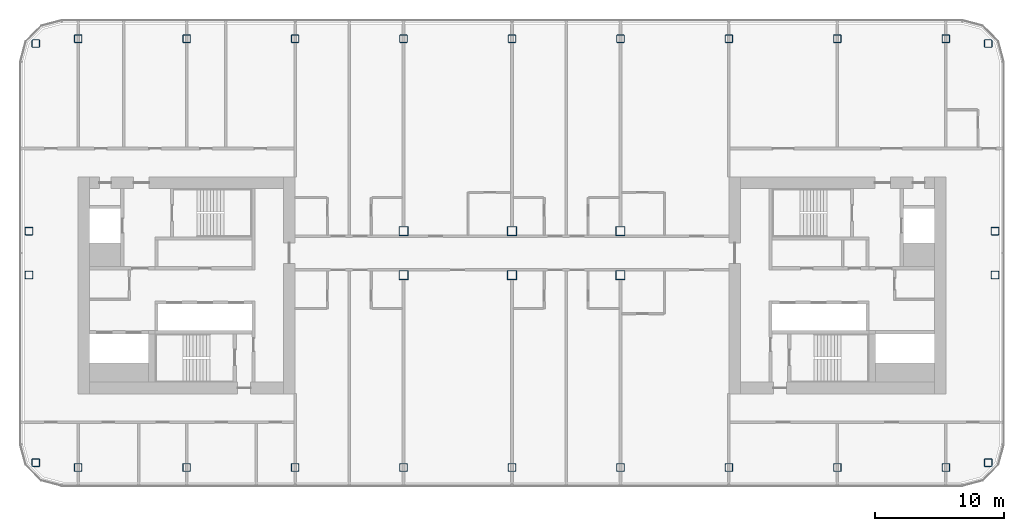
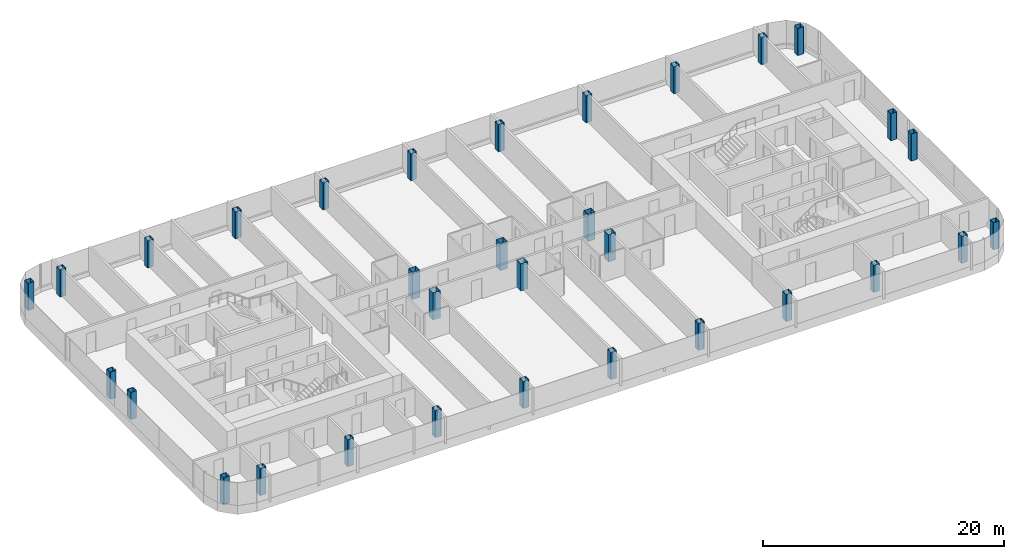
# One storey, part 1 of 26: 32 columns.
"""IFC4 building model written with IfcOpenShell, lengths in metres."""

import ifcopenshell
import ifcopenshell.guid

model = None  # the IFC model being written
_history = None  # IfcOwnerHistory: only IFC2X3 demands one
_inside = {}  # id of a spatial element -> (the spatial element, [elements in it])
_under = {}  # id of a project, library or spatial element -> (it, [spatial elements below it])
_declared = {}  # id of a project -> (the project, [libraries it declares])
_typed = {}  # id of a type object -> (the type object, [elements of that type])
_made_of = {}  # id of a material, layer set ... -> (it, [elements and type objects made of it])


def new_model(schema):
    """Start an empty IFC model of exactly this schema.

    Asked for "IFC4X3", IfcOpenShell would pick the latest addendum, in which some entities
    have other attributes; the version numbers below select the first issue.
    IFC2X3 requires an IfcOwnerHistory on every rooted entity: one is made here for all.
    """
    global model, _history
    if schema == "IFC4X3":
        model = ifcopenshell.file(schema_version=(4, 3, 0, 0))
    else:
        model = ifcopenshell.file(schema=schema)
    _inside.clear()
    _under.clear()
    _declared.clear()
    _typed.clear()
    _made_of.clear()
    _history = None
    if model.schema == "IFC2X3":
        org = make("IfcOrganization", Name="unknown")
        user = make(
            "IfcPersonAndOrganization",
            ThePerson=make("IfcPerson", FamilyName="unknown"),
            TheOrganization=org,
        )
        app = make(
            "IfcApplication",
            ApplicationDeveloper=org,
            Version="unknown",
            ApplicationFullName="unknown",
            ApplicationIdentifier="unknown",
        )
        _history = make(
            "IfcOwnerHistory",
            OwningUser=user,
            OwningApplication=app,
            ChangeAction="ADDED",
            CreationDate=0,
        )
    return model


def make(cls, **values):
    """One entity of the class cls with the attributes given. An attribute that is None is left unset."""
    return model.create_entity(
        cls, **{name: value for name, value in values.items() if value is not None}
    )


def rooted(cls, **values):
    """An entity with a GlobalId (a new one), such as an element, a storey or a relation."""
    return make(cls, GlobalId=ifcopenshell.guid.new(), OwnerHistory=_history, **values)


def si_unit(unit_type, name, prefix=None):
    """IfcSIUnit, for example si_unit("LENGTHUNIT", "METRE", prefix="MILLI")."""
    return make("IfcSIUnit", UnitType=unit_type, Prefix=prefix, Name=name)


def assignment(units):
    """IfcUnitAssignment: the units of a project."""
    return None if units is None else make("IfcUnitAssignment", Units=units)


def point(xyz):
    """IfcCartesianPoint."""
    return None if xyz is None else make("IfcCartesianPoint", Coordinates=xyz)


def direction(xyz):
    """IfcDirection."""
    return None if xyz is None else make("IfcDirection", DirectionRatios=xyz)


def frame(location, z_axis=None, x_axis=None):
    """IfcAxis2Placement3D, a coordinate frame: its origin and axes. An axis left out is left unset."""
    return make(
        "IfcAxis2Placement3D",
        Location=point(location),
        Axis=direction(z_axis),
        RefDirection=direction(x_axis),
    )


def frame_2d(location, x_axis=None):
    """IfcAxis2Placement2D, a coordinate frame in the plane: its origin and x axis."""
    return make(
        "IfcAxis2Placement2D", Location=point(location), RefDirection=direction(x_axis)
    )


def origin():
    """The frame at (0, 0, 0) with its axes left unset."""
    return frame((0.0, 0.0, 0.0))


def origin_2d():
    """The frame at (0, 0) in the plane with its x axis left unset."""
    return frame_2d((0.0, 0.0))


def place(relative_to, where):
    """IfcLocalPlacement: puts the frame where relative to a parent placement (None: the world)."""
    return make(
        "IfcLocalPlacement", PlacementRelTo=relative_to, RelativePlacement=where
    )


def context(
    kind, dimensions, precision=None, world=None, true_north=None, identifier=None
):
    """IfcGeometricRepresentationContext, for example the 3D "Model" context."""
    return make(
        "IfcGeometricRepresentationContext",
        ContextIdentifier=identifier,
        ContextType=kind,
        CoordinateSpaceDimension=dimensions,
        Precision=precision,
        WorldCoordinateSystem=world,
        TrueNorth=true_north,
    )


def subcontext(parent, identifier, kind, view, scale=None):
    """IfcGeometricRepresentationSubContext, for example "Body" below "Model"."""
    return make(
        "IfcGeometricRepresentationSubContext",
        ContextIdentifier=identifier,
        ContextType=kind,
        ParentContext=parent,
        TargetScale=scale,
        TargetView=view,
    )


def project(units=None, contexts=None):
    """IfcProject with its units and contexts."""
    return rooted(
        "IfcProject",
        Name="project",
        RepresentationContexts=contexts,
        UnitsInContext=assignment(units),
    )


def spatial(cls, under=None, at=None, **own):
    """A site, building, storey or space (cls), placed at a placement, below another one or the project."""
    s = rooted(cls, ObjectPlacement=at, **own)
    if under is not None:
        _under.setdefault(under.id(), (under, []))[1].append(s)
    return s


def profile(cls, at=None, kind="AREA", **sizes):
    """A parametric profile (cls). Its sizes go by their IFC names, for example OverallWidth=200.0."""
    return make(cls, ProfileType=kind, Position=at, **sizes)


def hollow_rectangle(**sizes):
    """IfcRectangleHollowProfileDef."""
    return profile("IfcRectangleHollowProfileDef", **sizes)


def extrude(swept, where, along, depth):
    """IfcExtrudedAreaSolid: the profile swept, set in the frame where, extruded along a direction by depth."""
    return make(
        "IfcExtrudedAreaSolid",
        SweptArea=swept,
        Position=where,
        ExtrudedDirection=direction(along),
        Depth=depth,
    )


def shape(context_of_items, identifier, shape_type, items):
    """IfcShapeRepresentation: the items that make up one representation, for example the "Body"."""
    return make(
        "IfcShapeRepresentation",
        ContextOfItems=context_of_items,
        RepresentationIdentifier=identifier,
        RepresentationType=shape_type,
        Items=items,
    )


def material(Name=None, Category=None):
    """IfcMaterial."""
    return make("IfcMaterial", Name=Name, Category=Category)


def material_profile(
    of_material, cross_section, Name=None, Category=None, Priority=None
):
    """IfcMaterialProfile: a cross section and its material."""
    return make(
        "IfcMaterialProfile",
        Name=Name,
        Material=of_material,
        Profile=cross_section,
        Priority=Priority,
        Category=Category,
    )


def profile_set(profiles, Name=None, composite=None):
    """IfcMaterialProfileSet."""
    return make(
        "IfcMaterialProfileSet",
        Name=Name,
        MaterialProfiles=profiles,
        CompositeProfile=composite,
    )


def made_of(thing, what):
    """Note that an element or type object is made of a material, layer set ...; save() writes the relation."""
    if what is not None:
        _made_of.setdefault(what.id(), (what, []))[1].append(thing)
    return thing


def type_object(cls, material=None, **own):
    """A type object (cls), such as IfcWallType, which elements share."""
    return made_of(rooted(cls, **own), material)


def element(
    cls,
    number,
    at=None,
    inside=None,
    cuts=None,
    type_object=None,
    material=None,
    context=None,
    identifier="Body",
    shape_type=None,
    held_by="IfcProductDefinitionShape",
    body=None,
    shapes=None,
    **own,
):
    """One element of the class cls, such as IfcWall. Its Tag is "e" and its number.

    at: its placement. inside: the storey or other place that contains it. cuts: it is an
    opening in that element (IfcRelVoidsElement). A single representation is given by context,
    identifier, shape_type and body (its items); several are given by shapes. held_by: the class
    of the entity that holds the representations. save() writes the other relations.
    """
    e = rooted(cls, Tag="e%d" % number, ObjectPlacement=at, **own)
    if body is not None:
        shapes = [shape(context, identifier, shape_type, body)]
    if shapes is not None:
        e.Representation = make(held_by, Representations=shapes)
    if inside is not None:
        _inside.setdefault(inside.id(), (inside, []))[1].append(e)
    if cuts is not None:
        rooted(
            "IfcRelVoidsElement", RelatingBuildingElement=cuts, RelatedOpeningElement=e
        )
    if type_object is not None:
        _typed.setdefault(type_object.id(), (type_object, []))[1].append(e)
    return made_of(e, material)


def aggregate(whole, parts):
    """IfcRelAggregates: a whole, such as a stair, and the parts it consists of."""
    return rooted("IfcRelAggregates", RelatingObject=whole, RelatedObjects=parts)


def save(model, path):
    """Write the relations noted so far, then the file.

    IfcRelAggregates (storeys below a building ...), IfcRelContainedInSpatialStructure (elements
    in a storey), IfcRelDefinesByType, IfcRelAssociatesMaterial and IfcRelDeclares: one each for
    every whole, place, type object, material and project.
    """
    for whole, parts in _under.values():
        aggregate(whole, parts)
    for where, things in _inside.values():
        rooted(
            "IfcRelContainedInSpatialStructure",
            RelatedElements=things,
            RelatingStructure=where,
        )
    for kind, things in _typed.values():
        rooted("IfcRelDefinesByType", RelatedObjects=things, RelatingType=kind)
    for what, things in _made_of.values():
        rooted("IfcRelAssociatesMaterial", RelatedObjects=things, RelatingMaterial=what)
    for by, libraries in _declared.values():
        rooted("IfcRelDeclares", RelatingContext=by, RelatedDefinitions=libraries)
    model.write(path)


model = new_model("IFC4")

# Units and contexts
model_context = context("Model", 3, precision=1e-05, world=origin(), true_north=direction((0.0, 1.0)))
body_context = subcontext(model_context, "Body", "Model", "MODEL_VIEW")
ifc_project = project(units=[si_unit("LENGTHUNIT", "METRE"), si_unit("AREAUNIT", "SQUARE_METRE"), si_unit("VOLUMEUNIT", "CUBIC_METRE"), si_unit("PLANEANGLEUNIT", "RADIAN"), si_unit("MASSUNIT", "GRAM", prefix="KILO")], contexts=[model_context])

# Site, building, storey
site_placement = place(None, origin())
site = spatial("IfcSite", under=ifc_project, at=site_placement, CompositionType="ELEMENT")
building_placement = place(site_placement, origin())
building = spatial("IfcBuilding", under=site, at=building_placement, Name="Hakoniwa Tower and Hamabe Station Hall", CompositionType="ELEMENT")
storey_placement = place(building_placement, frame((0.0, 0.0, 196.199951171875)))
storey = spatial("IfcBuildingStorey", under=building, at=storey_placement, Name="L55", CompositionType="ELEMENT", Elevation=196.199951171875)

# Columns
ifc_material_1 = material(Name="Steel BCP325", Category="steel")
ifc_material_profile_1 = material_profile(ifc_material_1, hollow_rectangle(XDim=0.60009765625, YDim=0.60009765625, WallThickness=0.02490234375, InnerFilletRadius=0.03759765625, OuterFilletRadius=0.0625, at=origin_2d()), Name="BCP-600x600x25")
ifc_profile_set_1 = profile_set([ifc_material_profile_1], Name="Steel BCP325")
column_type_1 = type_object("IfcColumnType", Name="COLUMN BCP-600x600x25", PredefinedType="COLUMN", material=ifc_profile_set_1)
for number, where, z_axis, x_axis, name in (
    (1, (-36.877685546875, -13.728515625, 0.0), (0.0, 0.0, 1.0), (1.0, 0.0, 0.0), "Column B4-EW-A4"),
    (2, (-37.39990234375, 0.800048828125, 0.0), (0.0, 0.0, 1.0), (1.0, 0.0, 0.0), "Column B4-EW-C4"),
    (3, (-37.39990234375, 4.199951171875, 0.0), (0.0, 0.0, 1.0), (1.0, 0.0, 0.0), "Column B4-EW-D4"),
    (4, (-36.877685546875, 18.728515625, 0.0), (0.0, 0.0, 1.0), (1.0, 0.0, 0.0), "Column B4-EW-F4"),
    (5, (-33.60009765625, -14.10009765625, 0.0), (0.0, 0.0, 1.0), (1.0, 0.0, 0.0), "Column B4-3-A4"),
    (6, (-33.60009765625, 19.10009765625, 0.0), (0.0, 0.0, 1.0), (1.0, 0.0, 0.0), "Column B4-3-F4"),
    (7, (-25.199951171875, -14.10009765625, 0.0), (0.0, 0.0, 1.0), (1.0, 0.0, 0.0), "Column B4-4-A4"),
    (8, (-25.199951171875, 19.10009765625, 0.0), (0.0, 0.0, 1.0), (1.0, 0.0, 0.0), "Column B4-4-F4"),
    (9, (-16.800048828125, -14.10009765625, 0.0), (0.0, 0.0, 1.0), (1.0, 0.0, 0.0), "Column B4-5-A4"),
    (10, (-16.800048828125, 19.10009765625, 0.0), (0.0, 0.0, 1.0), (1.0, 0.0, 0.0), "Column B4-5-F4"),
    (11, (-8.39990234375, -14.10009765625, 0.0), (0.0, 0.0, 1.0), (1.0, 0.0, 0.0), "Column B4-6-A4"),
    (12, (-8.39990234375, 19.10009765625, 0.0), (0.0, 0.0, 1.0), (1.0, 0.0, 0.0), "Column B4-6-F4"),
    (13, (0.0, -14.10009765625, 0.0), (0.0, 0.0, 1.0), (1.0, 0.0, 0.0), "Column B4-7-A4"),
    (14, (0.0, 19.10009765625, 0.0), (0.0, 0.0, 1.0), (1.0, 0.0, 0.0), "Column B4-7-F4"),
    (15, (8.39990234375, -14.10009765625, 0.0), (0.0, 0.0, 1.0), (1.0, 0.0, 0.0), "Column B4-8-A4"),
    (16, (8.39990234375, 19.10009765625, 0.0), (0.0, 0.0, 1.0), (1.0, 0.0, 0.0), "Column B4-8-F4"),
    (17, (16.800048828125, -14.10009765625, 0.0), (0.0, 0.0, 1.0), (1.0, 0.0, 0.0), "Column B4-9-A4"),
    (18, (16.800048828125, 19.10009765625, 0.0), (0.0, 0.0, 1.0), (1.0, 0.0, 0.0), "Column B4-9-F4"),
    (19, (25.199951171875, -14.10009765625, 0.0), (0.0, 0.0, 1.0), (1.0, 0.0, 0.0), "Column B4-10-A4"),
    (20, (25.199951171875, 19.10009765625, 0.0), (0.0, 0.0, 1.0), (1.0, 0.0, 0.0), "Column B4-10-F4"),
    (21, (33.60009765625, -14.10009765625, 0.0), (0.0, 0.0, 1.0), (1.0, 0.0, 0.0), "Column B4-11-A4"),
    (22, (33.60009765625, 19.10009765625, 0.0), (0.0, 0.0, 1.0), (1.0, 0.0, 0.0), "Column B4-11-F4"),
    (23, (36.877685546875, -13.728515625, 0.0), (0.0, 0.0, 1.0), (1.0, 0.0, 0.0), "Column B4-EE-A4"),
    (24, (37.39990234375, 0.800048828125, 0.0), (0.0, 0.0, 1.0), (1.0, 0.0, 0.0), "Column B4-EE-C4"),
    (25, (37.39990234375, 4.199951171875, 0.0), (0.0, 0.0, 1.0), (1.0, 0.0, 0.0), "Column B4-EE-D4"),
    (26, (36.877685546875, 18.728515625, 0.0), (0.0, 0.0, 1.0), (1.0, 0.0, 0.0), "Column B4-EE-F4"),
):
    element("IfcColumn", number, at=place(storey_placement, frame(where, z_axis=z_axis, x_axis=x_axis)), inside=storey, type_object=column_type_1, Name=name, PredefinedType="COLUMN", context=body_context, shape_type="SweptSolid", body=[
        extrude(hollow_rectangle(XDim=0.60009765625, YDim=0.60009765625, WallThickness=0.02490234375, InnerFilletRadius=0.03759765625, OuterFilletRadius=0.0625, at=origin_2d()), origin(), (0.0, 0.0, 1.0), 2.75),
    ])
ifc_material_2 = material(Name="Steel SN490C", Category="steel")
ifc_material_profile_2 = material_profile(ifc_material_2, hollow_rectangle(XDim=0.699951171875, YDim=0.699951171875, WallThickness=0.028076171875, at=origin_2d()), Name="BX-700x700x28")
ifc_profile_set_2 = profile_set([ifc_material_profile_2], Name="Steel SN490C")
column_type_2 = type_object("IfcColumnType", Name="COLUMN BX-700x700x28", PredefinedType="COLUMN", material=ifc_profile_set_2)
for number, where, z_axis, x_axis, name in (
    (27, (-8.39990234375, 0.800048828125, 0.0), (0.0, 0.0, 1.0), (1.0, 0.0, 0.0), "Column B4-6-C4"),
    (28, (-8.39990234375, 4.199951171875, 0.0), (0.0, 0.0, 1.0), (1.0, 0.0, 0.0), "Column B4-6-D4"),
    (29, (0.0, 0.800048828125, 0.0), (0.0, 0.0, 1.0), (1.0, 0.0, 0.0), "Column B4-7-C4"),
    (30, (0.0, 4.199951171875, 0.0), (0.0, 0.0, 1.0), (1.0, 0.0, 0.0), "Column B4-7-D4"),
    (31, (8.39990234375, 0.800048828125, 0.0), (0.0, 0.0, 1.0), (1.0, 0.0, 0.0), "Column B4-8-C4"),
    (32, (8.39990234375, 4.199951171875, 0.0), (0.0, 0.0, 1.0), (1.0, 0.0, 0.0), "Column B4-8-D4"),
):
    element("IfcColumn", number, at=place(storey_placement, frame(where, z_axis=z_axis, x_axis=x_axis)), inside=storey, type_object=column_type_2, Name=name, PredefinedType="COLUMN", context=body_context, shape_type="SweptSolid", body=[
        extrude(hollow_rectangle(XDim=0.699951171875, YDim=0.699951171875, WallThickness=0.028076171875, at=origin_2d()), origin(), (0.0, 0.0, 1.0), 2.75),
    ])

save(model, "model.ifc")
